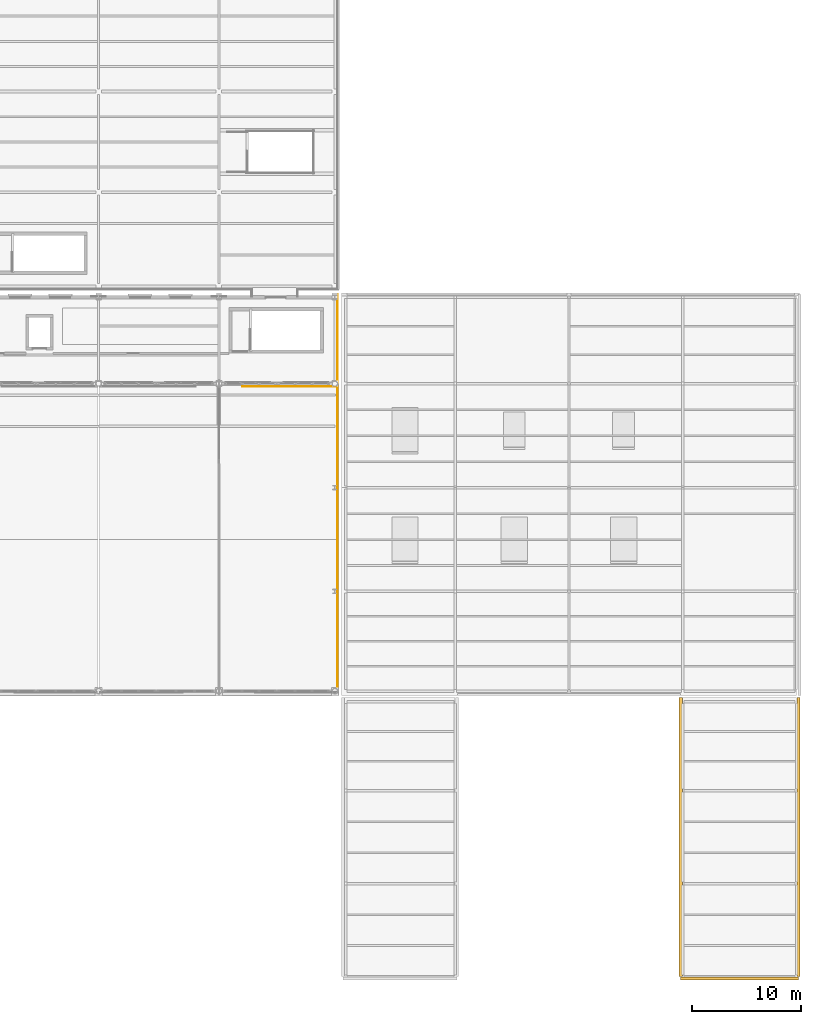
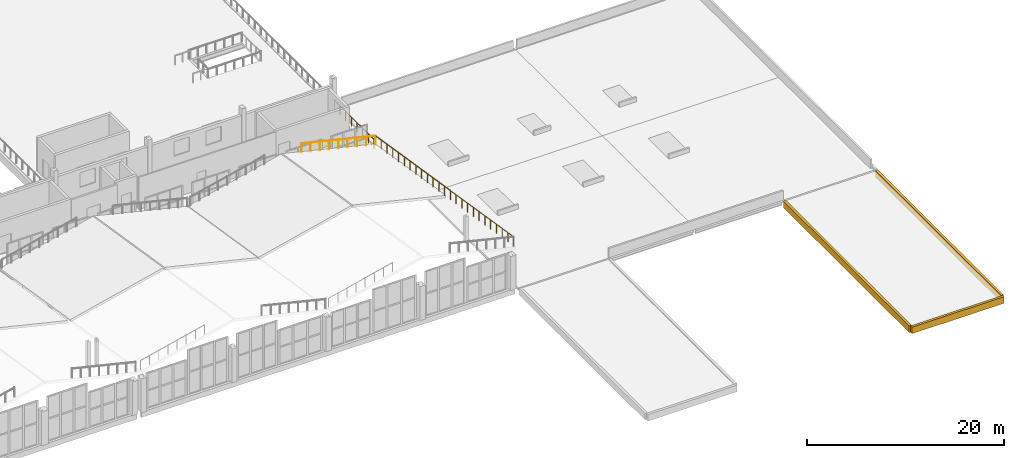
# One storey, part 118 of 120: 3 coverings, 3 railings.
"""IFC4 building model written with IfcOpenShell, lengths in metres."""

from ifc_helpers import new_model, si_unit, direction, frame, frame_2d, origin, origin_2d, place, context, subcontext, project, spatial, rectangle, circle, extrude, material, layer, layer_set, type_object, element, save


model = new_model("IFC4")

# Units and contexts
model_context = context("Model", 3, precision=1e-05, world=origin(), true_north=direction((0.0, 1.0)))
body_context = subcontext(model_context, "Body", "Model", "MODEL_VIEW")
ifc_project = project(units=[si_unit("LENGTHUNIT", "METRE"), si_unit("AREAUNIT", "SQUARE_METRE"), si_unit("VOLUMEUNIT", "CUBIC_METRE"), si_unit("PLANEANGLEUNIT", "RADIAN"), si_unit("MASSUNIT", "GRAM", prefix="KILO")], contexts=[model_context])

# Site, building, storey
site_placement = place(None, origin())
site = spatial("IfcSite", under=ifc_project, at=site_placement, CompositionType="ELEMENT")
building_placement = place(site_placement, origin())
building = spatial("IfcBuilding", under=site, at=building_placement, Name="Caurita Quay Ferry Terminal", CompositionType="ELEMENT")
storey_placement = place(building_placement, frame((0.0, 0.0, 9.89990234375)))
storey = spatial("IfcBuildingStorey", under=building, at=storey_placement, Name="L02", CompositionType="ELEMENT", Elevation=9.89990234375)

# Coverings
ifc_material_1 = material(Name="Coral stone ashlar cladding", Category="masonry")
ifc_layer = layer(ifc_material_1, 0.239990234375, Name="Classical coral-stone entablature and cornice moulding 240 mm")
ifc_layer_set = layer_set([ifc_layer], Name="Coral stone ashlar cladding")
covering_type = type_object("IfcCoveringType", Name="COV-ENT-MLD", PredefinedType="MOLDING", material=ifc_layer_set)
for number, where, z_axis, x_axis, name in (
    (1, (163.419921875, 34.0, -0.75), (0.0, 0.0, 1.0), (0.0, -1.0, 0.0), "L02 Classical Entablature Cornice 060"),
    (2, (174.179931640625, 8.5, -0.75), (0.0, 0.0, 1.0), (0.0, 1.0, 0.0), "L02 Classical Entablature Cornice 061"),
):
    element("IfcCovering", number, at=place(storey_placement, frame(where, z_axis=z_axis, x_axis=x_axis)), inside=storey, type_object=covering_type, Name=name, PredefinedType="MOLDING", context=body_context, shape_type="SweptSolid", body=[
        extrude(rectangle(XDim=25.5, YDim=0.280029296875, at=frame_2d((12.75, 0.0))), origin(), (0.0, 0.0, 1.0), 0.81005859375),
    ])
covering_placement = place(storey_placement, frame((163.419921875, 8.320068359375, -0.75), z_axis=(0.0, 0.0, 1.0), x_axis=(1.0, 0.0, 0.0)))
element("IfcCovering", 3, at=covering_placement, inside=storey, type_object=covering_type, Name="L02 Classical Entablature Cornice 063", PredefinedType="MOLDING", context=body_context, shape_type="SweptSolid", body=[
    extrude(rectangle(XDim=10.760009765625, YDim=0.280029296875, at=frame_2d((5.3798828125, 0.0))), origin(), (0.0, 0.0, 1.0), 0.81005859375),
])

# Railings
ifc_material_2 = material(Name="Bronze architectural metalwork", Category="metal")
railing_type = type_object("IfcRailingType", Name="RL-REJA-115", PredefinedType="BALUSTRADE", material=ifc_material_2)
railing_1_placement = place(storey_placement, frame((132.050048828125, 62.800048828125, 0.0)))
element("IfcRailing", 4, at=railing_1_placement, inside=storey, type_object=railing_type, Name="L02 Mezzanine End Guard (081)", PredefinedType="BALUSTRADE", context=body_context, shape_type="SweptSolid", body=[
    extrude(circle(Radius=0.02392578125, at=origin_2d()), frame((0.0, 0.0, 1.1259765625), z_axis=(0.0, 1.0, 0.0), x_axis=(-1.0, 0.0, 0.0)), (0.0, 0.0, 1.0), 8.050048828125),
    extrude(circle(Radius=0.02099609375, at=origin_2d()), origin(), (0.0, 0.0, 1.0), 1.101806640625),
    extrude(circle(Radius=0.02099609375, at=origin_2d()), frame((0.0, 1.14990234375, 0.0)), (0.0, 0.0, 1.0), 1.101806640625),
    extrude(circle(Radius=0.02099609375, at=origin_2d()), frame((0.0, 2.300048828125, 0.0)), (0.0, 0.0, 1.0), 1.101806640625),
    extrude(circle(Radius=0.02099609375, at=origin_2d()), frame((0.0, 3.449951171875, 0.0)), (0.0, 0.0, 1.0), 1.101806640625),
    extrude(circle(Radius=0.02099609375, at=origin_2d()), frame((0.0, 4.60009765625, 0.0)), (0.0, 0.0, 1.0), 1.101806640625),
    extrude(circle(Radius=0.02099609375, at=origin_2d()), frame((0.0, 5.75, 0.0)), (0.0, 0.0, 1.0), 1.101806640625),
    extrude(circle(Radius=0.02099609375, at=origin_2d()), frame((0.0, 6.900146484375, 0.0)), (0.0, 0.0, 1.0), 1.101806640625),
    extrude(circle(Radius=0.02099609375, at=origin_2d()), frame((0.0, 8.050048828125, 0.0)), (0.0, 0.0, 1.0), 1.101806640625),
])
railing_2_placement = place(storey_placement, frame((123.35009765625, 62.449951171875, 2.76416015625)))
element("IfcRailing", 5, at=railing_2_placement, inside=storey, type_object=railing_type, Name="Folded Roof Bay 6 Landside Promenade Guard LE", PredefinedType="BALUSTRADE", context=body_context, shape_type="SweptSolid", body=[
    extrude(circle(Radius=0.02392578125, at=origin_2d()), frame((0.0, 0.0, 1.1259765625), z_axis=(0.972380342195, 0.0, -0.233401949675), x_axis=(0.0, 1.0, 0.0)), (0.0, 0.0, 1.0), 8.916259765625),
    extrude(circle(Radius=0.02099609375, at=origin_2d()), origin(), (0.0, 0.0, 1.0), 1.101806640625),
    extrude(circle(Radius=0.02099609375, at=origin_2d()), frame((1.083740234375, 0.0, -0.26025390625)), (0.0, 0.0, 1.0), 1.101806640625),
    extrude(circle(Radius=0.02099609375, at=origin_2d()), frame((2.16748046875, 0.0, -0.520263671875)), (0.0, 0.0, 1.0), 1.101806640625),
    extrude(circle(Radius=0.02099609375, at=origin_2d()), frame((3.251220703125, 0.0, -0.7802734375)), (0.0, 0.0, 1.0), 1.101806640625),
    extrude(circle(Radius=0.02099609375, at=origin_2d()), frame((4.3349609375, 0.0, -1.04052734375)), (0.0, 0.0, 1.0), 1.101806640625),
    extrude(circle(Radius=0.02099609375, at=origin_2d()), frame((5.418701171875, 0.0, -1.30078125)), (0.0, 0.0, 1.0), 1.101806640625),
    extrude(circle(Radius=0.02099609375, at=origin_2d()), frame((6.50244140625, 0.0, -1.560791015625)), (0.0, 0.0, 1.0), 1.101806640625),
    extrude(circle(Radius=0.02099609375, at=origin_2d()), frame((7.586181640625, 0.0, -1.82080078125)), (0.0, 0.0, 1.0), 1.101806640625),
    extrude(circle(Radius=0.02099609375, at=origin_2d()), frame((8.669921875, 0.0, -2.0810546875)), (0.0, 0.0, 1.0), 1.101806640625),
])
railing_3_placement = place(storey_placement, frame((132.02001953125, 34.449951171875, 5.1630859375)))
element("IfcRailing", 6, at=railing_3_placement, inside=storey, type_object=railing_type, Name="Folded Roof East Gable Rake Guardrail", PredefinedType="BALUSTRADE", context=body_context, shape_type="SweptSolid", body=[
    extrude(circle(Radius=0.02392578125, at=origin_2d()), frame((0.0, 0.0, 1.1259765625), z_axis=(0.0, 0.987440739371, -0.157989829515), x_axis=(-1.0, 0.0, 0.0)), (0.0, 0.0, 1.0), 28.356201171875),
    extrude(circle(Radius=0.02099609375, at=origin_2d()), origin(), (0.0, 0.0, 1.0), 1.101806640625),
    extrude(circle(Radius=0.02099609375, at=origin_2d()), frame((0.0, 1.166748046875, -0.186767578125)), (0.0, 0.0, 1.0), 1.101806640625),
    extrude(circle(Radius=0.02099609375, at=origin_2d()), frame((0.0, 2.333251953125, -0.373291015625)), (0.0, 0.0, 1.0), 1.101806640625),
    extrude(circle(Radius=0.02099609375, at=origin_2d()), frame((0.0, 3.5, -0.56005859375)), (0.0, 0.0, 1.0), 1.101806640625),
    extrude(circle(Radius=0.02099609375, at=origin_2d()), frame((0.0, 4.666748046875, -0.74658203125)), (0.0, 0.0, 1.0), 1.101806640625),
    extrude(circle(Radius=0.02099609375, at=origin_2d()), frame((0.0, 5.833251953125, -0.933349609375)), (0.0, 0.0, 1.0), 1.101806640625),
    extrude(circle(Radius=0.02099609375, at=origin_2d()), frame((0.0, 7.0, -1.1201171875)), (0.0, 0.0, 1.0), 1.101806640625),
    extrude(circle(Radius=0.02099609375, at=origin_2d()), frame((0.0, 8.166748046875, -1.306640625)), (0.0, 0.0, 1.0), 1.101806640625),
    extrude(circle(Radius=0.02099609375, at=origin_2d()), frame((0.0, 9.333251953125, -1.493408203125)), (0.0, 0.0, 1.0), 1.101806640625),
    extrude(circle(Radius=0.02099609375, at=origin_2d()), frame((0.0, 10.5, -1.679931640625)), (0.0, 0.0, 1.0), 1.101806640625),
    extrude(circle(Radius=0.02099609375, at=origin_2d()), frame((0.0, 11.666748046875, -1.86669921875)), (0.0, 0.0, 1.0), 1.101806640625),
    extrude(circle(Radius=0.02099609375, at=origin_2d()), frame((0.0, 12.833251953125, -2.05322265625)), (0.0, 0.0, 1.0), 1.101806640625),
    extrude(circle(Radius=0.02099609375, at=origin_2d()), frame((0.0, 14.0, -2.239990234375)), (0.0, 0.0, 1.0), 1.101806640625),
    extrude(circle(Radius=0.02099609375, at=origin_2d()), frame((0.0, 15.166748046875, -2.4267578125)), (0.0, 0.0, 1.0), 1.101806640625),
    extrude(circle(Radius=0.02099609375, at=origin_2d()), frame((0.0, 16.333251953125, -2.61328125)), (0.0, 0.0, 1.0), 1.101806640625),
    extrude(circle(Radius=0.02099609375, at=origin_2d()), frame((0.0, 17.5, -2.800048828125)), (0.0, 0.0, 1.0), 1.101806640625),
    extrude(circle(Radius=0.02099609375, at=origin_2d()), frame((0.0, 18.666748046875, -2.986572265625)), (0.0, 0.0, 1.0), 1.101806640625),
    extrude(circle(Radius=0.02099609375, at=origin_2d()), frame((0.0, 19.833251953125, -3.17333984375)), (0.0, 0.0, 1.0), 1.101806640625),
    extrude(circle(Radius=0.02099609375, at=origin_2d()), frame((0.0, 21.0, -3.35986328125)), (0.0, 0.0, 1.0), 1.101806640625),
    extrude(circle(Radius=0.02099609375, at=origin_2d()), frame((0.0, 22.166748046875, -3.546630859375)), (0.0, 0.0, 1.0), 1.101806640625),
    extrude(circle(Radius=0.02099609375, at=origin_2d()), frame((0.0, 23.333251953125, -3.7333984375)), (0.0, 0.0, 1.0), 1.101806640625),
    extrude(circle(Radius=0.02099609375, at=origin_2d()), frame((0.0, 24.5, -3.919921875)), (0.0, 0.0, 1.0), 1.101806640625),
    extrude(circle(Radius=0.02099609375, at=origin_2d()), frame((0.0, 25.666748046875, -4.106689453125)), (0.0, 0.0, 1.0), 1.101806640625),
    extrude(circle(Radius=0.02099609375, at=origin_2d()), frame((0.0, 26.833251953125, -4.293212890625)), (0.0, 0.0, 1.0), 1.101806640625),
    extrude(circle(Radius=0.02099609375, at=origin_2d()), frame((0.0, 28.0, -4.47998046875)), (0.0, 0.0, 1.0), 1.101806640625),
])

save(model, "model.ifc")
